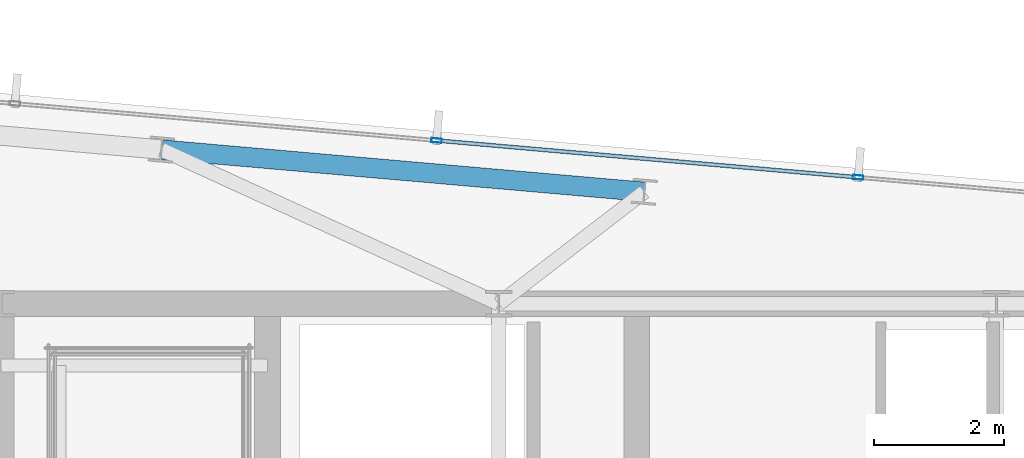
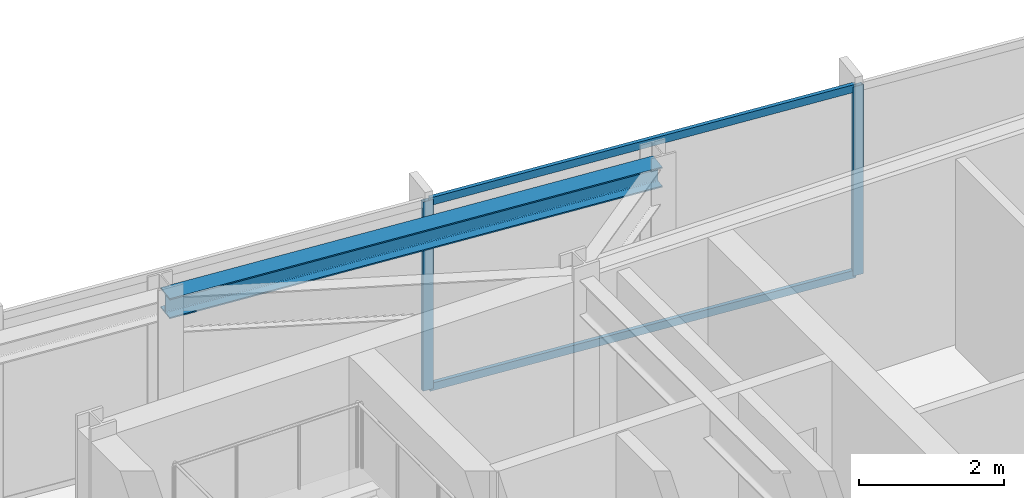
# One storey, part 25 of 33: 4 members, 1 beam, 1 element without a shape of its own.
"""IFC4 building model written with IfcOpenShell, lengths in metres."""

from ifc_helpers import new_model, si_unit, direction, frame, origin, origin_2d, place, context, subcontext, project, spatial, hollow_rectangle, i_section, extrude, material, material_profile, profile_set, type_object, element, aggregate, save


model = new_model("IFC4")

# Units and contexts
model_context = context("Model", 3, precision=1e-05, world=origin(), true_north=direction((0.0, 1.0)))
body_context = subcontext(model_context, "Body", "Model", "MODEL_VIEW")
ifc_project = project(units=[si_unit("LENGTHUNIT", "METRE"), si_unit("AREAUNIT", "SQUARE_METRE"), si_unit("VOLUMEUNIT", "CUBIC_METRE"), si_unit("PLANEANGLEUNIT", "RADIAN"), si_unit("MASSUNIT", "GRAM", prefix="KILO")], contexts=[model_context])

# Site, building, storey
site_placement = place(None, origin())
site = spatial("IfcSite", under=ifc_project, at=site_placement, CompositionType="ELEMENT")
building_placement = place(site_placement, origin())
building = spatial("IfcBuilding", under=site, at=building_placement, Name="Yelkora Congress Tower", CompositionType="ELEMENT")
storey_placement = place(building_placement, frame((0.0, 0.0, 289.699951171875)))
storey = spatial("IfcBuildingStorey", under=building, at=storey_placement, Name="L81", CompositionType="ELEMENT", Elevation=289.699951171875)

# Beam
ifc_material_1 = material(Name="Steel S355J2", Category="steel")
ifc_material_profile_1 = material_profile(ifc_material_1, i_section(OverallWidth=0.300048828125, OverallDepth=0.340087890625, WebThickness=0.011962890625, FlangeThickness=0.021484375, FilletRadius=0.027099609375, at=origin_2d()), Name="HEB 340")
ifc_profile_set_1 = profile_set([ifc_material_profile_1], Name="Steel S355J2")
beam_type = type_object("IfcBeamType", Name="BM-SPAN-HEB340", PredefinedType="SPANDREL", material=ifc_profile_set_1)
beam_placement = place(storey_placement, frame((32.968505859375, 47.927490234375, 3.010009765625), z_axis=(-0.996195771192, 0.087143476284, 0.0), x_axis=(-0.087143476284, -0.996195771192, 0.0)))
element("IfcBeam", 1, at=beam_placement, inside=storey, type_object=beam_type, Name="L81 Perimeter Beam 10", PredefinedType="SPANDREL", context=body_context, shape_type="SweptSolid", body=[
    extrude(i_section(OverallWidth=0.300048828125, OverallDepth=0.340087890625, WebThickness=0.011962890625, FlangeThickness=0.021484375, FilletRadius=0.027099609375, at=origin_2d()), origin(), (0.0, 0.0, 1.0), 7.483154296875),
])

# Curtain wall, members
ifc_material_2 = material(Name="Anodised aluminium and insulated glass", Category="aluminium")
curtain_wall_type = type_object("IfcCurtainWallType", Name="CW-SYS-B5", PredefinedType="NOTDEFINED", material=ifc_material_2)
curtain_wall_placement = place(storey_placement, origin())
curtain_wall = element("IfcCurtainWall", 2, at=curtain_wall_placement, inside=storey, type_object=curtain_wall_type, Name="L81 Unitised Curtain Wall 10", PredefinedType="NOTDEFINED")
ifc_material_3 = material(Name="Anodised aluminium 6063-T6", Category="aluminium")
ifc_material_profile_2 = material_profile(ifc_material_3, hollow_rectangle(XDim=0.06494140625, YDim=0.159912109375, WallThickness=0.00390625, at=origin_2d()), Name="ALU 65x160x4")
ifc_profile_set_2 = profile_set([ifc_material_profile_2], Name="Anodised aluminium 6063-T6")
member_type_1 = type_object("IfcMemberType", Name="MEM-ML-B5", PredefinedType="MULLION", material=ifc_profile_set_2)
member_1_placement = place(storey_placement, frame((29.759765625, 48.719970703125, 0.0), z_axis=(0.0, 0.0, 1.0), x_axis=(0.087156639893, 0.996194619601, 0.0)))
member_1 = element("IfcMember", 3, at=member_1_placement, type_object=member_type_1, Name="CW-B5 mullion 4", PredefinedType="MULLION", context=body_context, shape_type="SweptSolid", body=[
    extrude(hollow_rectangle(XDim=0.06494140625, YDim=0.159912109375, WallThickness=0.00390625, at=origin_2d()), origin(), (0.0, 0.0, 1.0), 3.179931640625),
])
member_2_placement = place(storey_placement, frame((36.266357421875, 48.15087890625, 0.0), z_axis=(0.0, 0.0, 1.0), x_axis=(0.087156639893, 0.996194619601, 0.0)))
member_2 = element("IfcMember", 4, at=member_2_placement, type_object=member_type_1, Name="CW-B5 mullion 5", PredefinedType="MULLION", context=body_context, shape_type="SweptSolid", body=[
    extrude(hollow_rectangle(XDim=0.06494140625, YDim=0.159912109375, WallThickness=0.00390625, at=origin_2d()), origin(), (0.0, 0.0, 1.0), 3.179931640625),
])
ifc_material_profile_3 = material_profile(ifc_material_3, hollow_rectangle(XDim=0.06005859375, YDim=0.1298828125, WallThickness=0.00390625, at=origin_2d()), Name="ALU 60x130x4")
ifc_profile_set_3 = profile_set([ifc_material_profile_3], Name="Anodised aluminium 6063-T6")
member_type_2 = type_object("IfcMemberType", Name="MEM-TR-B5", PredefinedType="USERDEFINED", material=ifc_profile_set_3)
member_3_placement = place(storey_placement, frame((29.7919921875, 48.71728515625, 0.030029296875), z_axis=(0.996192979814, -0.08717538052, 0.0), x_axis=(0.08717538052, 0.996192979814, 0.0)))
member_3 = element("IfcMember", 5, at=member_3_placement, type_object=member_type_2, Name="CW-B5 transom 4.1", ObjectType="TRANSOM", PredefinedType="USERDEFINED", context=body_context, shape_type="SweptSolid", body=[
    extrude(hollow_rectangle(XDim=0.06005859375, YDim=0.1298828125, WallThickness=0.00390625, at=origin_2d()), origin(), (0.0, 0.0, 1.0), 6.466552734375),
])
member_4_placement = place(storey_placement, frame((29.7919921875, 48.71728515625, 3.150146484375), z_axis=(0.996192979814, -0.08717538052, 0.0), x_axis=(0.08717538052, 0.996192979814, 0.0)))
member_4 = element("IfcMember", 6, at=member_4_placement, type_object=member_type_2, Name="CW-B5 transom 4.2", ObjectType="TRANSOM", PredefinedType="USERDEFINED", context=body_context, shape_type="SweptSolid", body=[
    extrude(hollow_rectangle(XDim=0.06005859375, YDim=0.1298828125, WallThickness=0.00390625, at=origin_2d()), origin(), (0.0, 0.0, 1.0), 6.466552734375),
])
aggregate(curtain_wall, [member_1, member_2, member_3, member_4])

save(model, "model.ifc")
